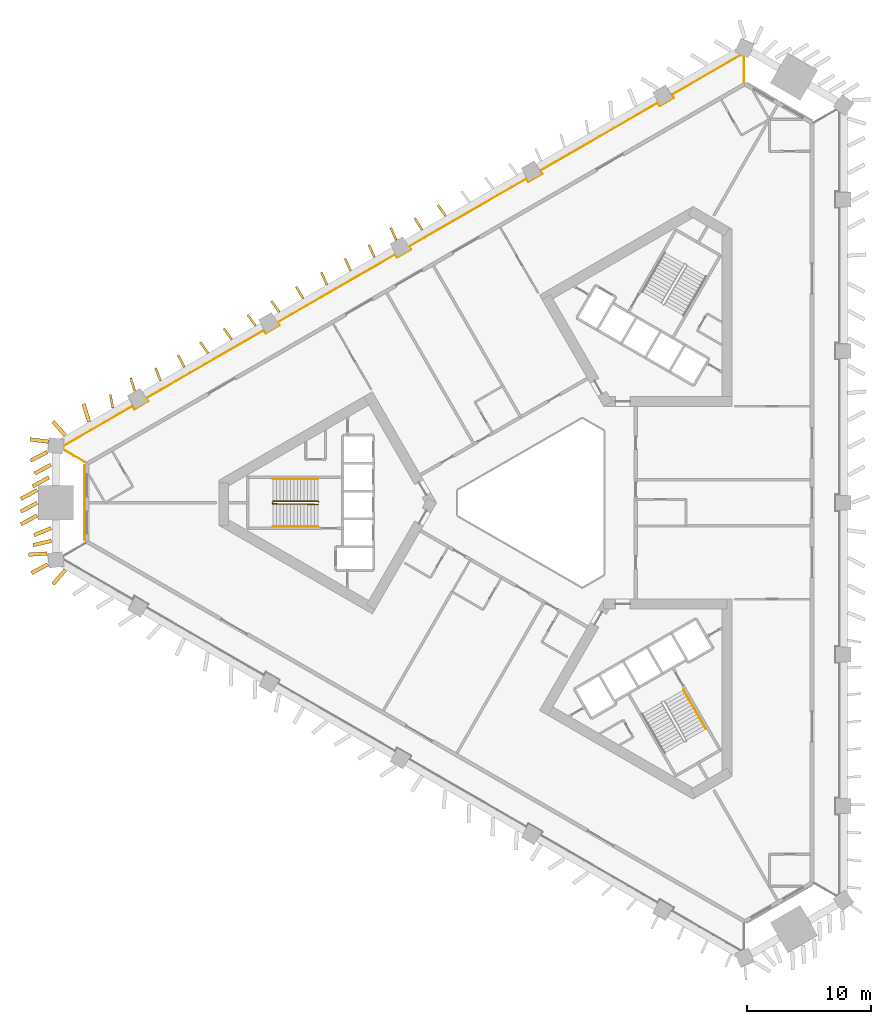
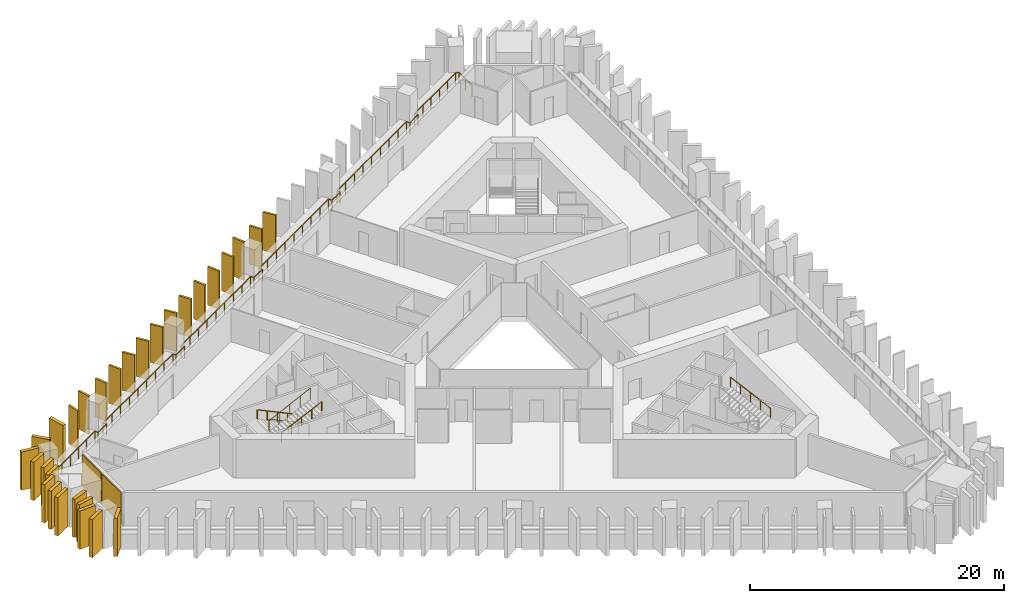
# One storey, part 8 of 10: 29 shading devices, 5 railings, 2 coverings.
"""IFC4 building model written with IfcOpenShell, lengths in metres."""

from ifc_helpers import new_model, si_unit, direction, frame, frame_2d, origin, origin_2d, place, context, subcontext, project, spatial, rectangle, circle, extrude, material, layer, layer_set, type_object, element, save


model = new_model("IFC4")

# Units and contexts
model_context = context("Model", 3, precision=1e-05, world=origin(), true_north=direction((0.0, 1.0)))
body_context = subcontext(model_context, "Body", "Model", "MODEL_VIEW")
ifc_project = project(units=[si_unit("LENGTHUNIT", "METRE"), si_unit("AREAUNIT", "SQUARE_METRE"), si_unit("VOLUMEUNIT", "CUBIC_METRE"), si_unit("PLANEANGLEUNIT", "RADIAN"), si_unit("MASSUNIT", "GRAM", prefix="KILO")], contexts=[model_context])

# Site, building, storey
site_placement = place(None, origin())
site = spatial("IfcSite", under=ifc_project, at=site_placement, CompositionType="ELEMENT")
building_placement = place(site_placement, origin())
building = spatial("IfcBuilding", under=site, at=building_placement, Name="Jabali Bay Hotel Tower and Convention Centre", CompositionType="ELEMENT")
storey_placement = place(building_placement, frame((0.0, 0.0, 37.39990234375)))
storey = spatial("IfcBuildingStorey", under=building, at=storey_placement, Name="L07", CompositionType="ELEMENT", Elevation=37.39990234375)

# Railing
ifc_material_1 = material(Name="Glass", Category="glass")
railing_type_1 = type_object("IfcRailingType", Name="Loggia glass guard 1100", PredefinedType="BALUSTRADE", material=ifc_material_1)
railing_1_placement = place(storey_placement, frame((37.58984375, 83.28564453125, 0.0)))
element("IfcRailing", 1, at=railing_1_placement, inside=storey, type_object=railing_type_1, Name="Loggia glass guard L07", PredefinedType="BALUSTRADE", context=body_context, shape_type="SweptSolid", body=[
    extrude(circle(Radius=0.02490234375, at=origin_2d()), frame((0.0, 0.0, 1.0751953125), z_axis=(-0.866005633567, 0.500034241458, 0.0), x_axis=(-0.495756379204, -0.858596835321, 0.13052619222)), (0.0, 0.0, 1.0), 2.055908203125),
    extrude(circle(Radius=0.02490234375, at=origin_2d()), frame((-1.780517578125, 1.028076171875, 1.0751953125), z_axis=(0.115132230487, 0.993350174663, 0.0), x_axis=(-0.984851926214, 0.114147258294, 0.13052619222)), (0.0, 0.0, 1.0), 0.2734375),
    extrude(circle(Radius=0.02490234375, at=origin_2d()), frame((-1.7490234375, 1.2998046875, 1.0751953125), z_axis=(0.866027950949, 0.499995588155, 0.0), x_axis=(-0.495718056586, 0.858618961775, 0.13052619222)), (0.0, 0.0, 1.0), 6.44775390625),
    extrude(circle(Radius=0.02490234375, at=origin_2d()), frame((3.8349609375, 4.523681640625, 1.0751953125), z_axis=(0.500426713919, -0.865778900179, 0.0), x_axis=(0.858372041669, 0.49614549401, 0.13052619222)), (0.0, 0.0, 1.0), 0.300048828125),
    extrude(circle(Radius=0.02490234375, at=origin_2d()), frame((3.985107421875, 4.263916015625, 1.0751953125), z_axis=(0.86603858612, 0.49997716683, 0.0), x_axis=(-0.495699792858, 0.85862950596, 0.13052619222)), (0.0, 0.0, 1.0), 1.2998046875),
    extrude(circle(Radius=0.02490234375, at=origin_2d()), frame((5.11083984375, 4.913818359375, 1.0751953125), z_axis=(-0.499816412211, 0.866131372301, 0.0), x_axis=(-0.858721498343, -0.495540413517, 0.13052619222)), (0.0, 0.0, 1.0), 0.2998046875),
    extrude(circle(Radius=0.02490234375, at=origin_2d()), frame((4.9609375, 5.173583984375, 1.0751953125), z_axis=(0.866015332769, 0.500017443104, 0.0), x_axis=(-0.495739724563, 0.858606451545, 0.13052619222)), (0.0, 0.0, 1.0), 10.9609375),
    extrude(circle(Radius=0.02490234375, at=origin_2d()), frame((14.453369140625, 10.654296875, 1.0751953125), z_axis=(0.500074377092, -0.865982457891, 0.0), x_axis=(0.858573857916, 0.495796171473, 0.13052619222)), (0.0, 0.0, 1.0), 0.30029296875),
    extrude(circle(Radius=0.02490234375, at=origin_2d()), frame((14.603515625, 10.394287109375, 1.0751953125), z_axis=(0.86595725628, 0.500118016368, 0.0), x_axis=(-0.495839437409, 0.858548871908, 0.13052619222)), (0.0, 0.0, 1.0), 1.300048828125),
    extrude(circle(Radius=0.02490234375, at=origin_2d()), frame((15.729248046875, 11.04443359375, 1.0751953125), z_axis=(-0.499816412211, 0.866131372301, 0.0), x_axis=(-0.858721498343, -0.495540413517, 0.13052619222)), (0.0, 0.0, 1.0), 0.2998046875),
    extrude(circle(Radius=0.02490234375, at=origin_2d()), frame((15.579345703125, 11.30419921875, 1.0751953125), z_axis=(0.86603054593, 0.499991093437, 0.0), x_axis=(-0.495713600321, 0.858621534555, 0.13052619222)), (0.0, 0.0, 1.0), 10.961181640625),
    extrude(circle(Radius=0.02490234375, at=origin_2d()), frame((25.072021484375, 16.78466796875, 1.0751953125), z_axis=(0.499816412211, -0.866131372301, 0.0), x_axis=(0.858721498343, 0.495540413517, 0.13052619222)), (0.0, 0.0, 1.0), 0.2998046875),
    extrude(circle(Radius=0.02490234375, at=origin_2d()), frame((25.221923828125, 16.52490234375, 1.0751953125), z_axis=(0.86595725628, 0.500118016368, 0.0), x_axis=(-0.495839437409, 0.858548871908, 0.13052619222)), (0.0, 0.0, 1.0), 1.300048828125),
    extrude(circle(Radius=0.02490234375, at=origin_2d()), frame((26.34765625, 17.175048828125, 1.0751953125), z_axis=(-0.499816412211, 0.866131372301, 0.0), x_axis=(-0.858721498343, -0.495540413517, 0.13052619222)), (0.0, 0.0, 1.0), 0.2998046875),
    extrude(circle(Radius=0.02490234375, at=origin_2d()), frame((26.19775390625, 17.434814453125, 1.0751953125), z_axis=(0.86603054593, 0.499991093437, 0.0), x_axis=(-0.495713600321, 0.858621534555, 0.13052619222)), (0.0, 0.0, 1.0), 10.961181640625),
    extrude(circle(Radius=0.02490234375, at=origin_2d()), frame((35.6904296875, 22.915283203125, 1.0751953125), z_axis=(0.499816412211, -0.866131372301, 0.0), x_axis=(0.858721498343, 0.495540413517, 0.13052619222)), (0.0, 0.0, 1.0), 0.2998046875),
    extrude(circle(Radius=0.02490234375, at=origin_2d()), frame((35.84033203125, 22.655517578125, 1.0751953125), z_axis=(0.866085525409, 0.49989585183, 0.0), x_axis=(-0.495619173519, 0.858676043677, 0.13052619222)), (0.0, 0.0, 1.0), 1.300048828125),
    extrude(circle(Radius=0.02490234375, at=origin_2d()), frame((36.96630859375, 23.305419921875, 1.0751953125), z_axis=(-0.500074377092, 0.865982457891, 0.0), x_axis=(-0.858573857916, -0.495796171473, 0.13052619222)), (0.0, 0.0, 1.0), 0.30029296875),
    extrude(circle(Radius=0.02490234375, at=origin_2d()), frame((36.816162109375, 23.5654296875, 1.0751953125), z_axis=(0.86603054593, 0.499991093437, 0.0), x_axis=(-0.495713600321, 0.858621534555, 0.13052619222)), (0.0, 0.0, 1.0), 10.961181640625),
    extrude(circle(Radius=0.02490234375, at=origin_2d()), frame((46.308837890625, 29.0458984375, 1.0751953125), z_axis=(0.499816412211, -0.866131372301, 0.0), x_axis=(0.858721498343, 0.495540413517, 0.13052619222)), (0.0, 0.0, 1.0), 0.2998046875),
    extrude(circle(Radius=0.02490234375, at=origin_2d()), frame((46.458740234375, 28.7861328125, 1.0751953125), z_axis=(0.866085525409, 0.49989585183, 0.0), x_axis=(-0.495619173519, 0.858676043677, 0.13052619222)), (0.0, 0.0, 1.0), 1.300048828125),
    extrude(circle(Radius=0.02490234375, at=origin_2d()), frame((47.584716796875, 29.43603515625, 1.0751953125), z_axis=(-0.500426713919, 0.865778900179, 0.0), x_axis=(-0.858372041669, -0.49614549401, 0.13052619222)), (0.0, 0.0, 1.0), 0.300048828125),
    extrude(circle(Radius=0.02490234375, at=origin_2d()), frame((47.4345703125, 29.69580078125, 1.0751953125), z_axis=(0.866011555249, 0.500023985599, 0.0), x_axis=(-0.495746211086, 0.858602706342, 0.13052619222)), (0.0, 0.0, 1.0), 6.447998046875),
    extrude(circle(Radius=0.02490234375, at=origin_2d()), frame((53.0185546875, 32.919921875, 1.0751953125), z_axis=(0.917848253155, -0.396931460305, 0.0), x_axis=(0.393535656637, 0.909995934112, 0.13052619222)), (0.0, 0.0, 1.0), 0.273681640625),
    extrude(circle(Radius=0.02490234375, at=origin_2d()), frame((53.269775390625, 32.811279296875, 1.0751953125), z_axis=(0.0, -1.0, 0.0), x_axis=(0.991444861374, 0.0, 0.13052619222)), (0.0, 0.0, 1.0), 2.055908203125),
    extrude(circle(Radius=0.02001953125, at=origin_2d()), origin(), (0.0, 0.0, 1.0), 1.050048828125),
    extrude(circle(Radius=0.02001953125, at=origin_2d()), frame((-0.89013671875, 0.51416015625, 0.0)), (0.0, 0.0, 1.0), 1.050048828125),
    extrude(circle(Radius=0.02001953125, at=origin_2d()), frame((-1.780517578125, 1.028076171875, 0.0)), (0.0, 0.0, 1.0), 1.050048828125),
    extrude(circle(Radius=0.02001953125, at=origin_2d()), frame((-1.7490234375, 1.2998046875, 0.0)), (0.0, 0.0, 1.0), 1.050048828125),
    extrude(circle(Radius=0.02001953125, at=origin_2d()), frame((-0.63232421875, 1.944580078125, 0.0)), (0.0, 0.0, 1.0), 1.050048828125),
    extrude(circle(Radius=0.02001953125, at=origin_2d()), frame((0.484619140625, 2.58935546875, 0.0)), (0.0, 0.0, 1.0), 1.050048828125),
    extrude(circle(Radius=0.02001953125, at=origin_2d()), frame((1.601318359375, 3.234130859375, 0.0)), (0.0, 0.0, 1.0), 1.050048828125),
    extrude(circle(Radius=0.02001953125, at=origin_2d()), frame((2.71826171875, 3.87890625, 0.0)), (0.0, 0.0, 1.0), 1.050048828125),
    extrude(circle(Radius=0.02001953125, at=origin_2d()), frame((3.8349609375, 4.523681640625, 0.0)), (0.0, 0.0, 1.0), 1.050048828125),
    extrude(circle(Radius=0.02001953125, at=origin_2d()), frame((3.985107421875, 4.263916015625, 0.0)), (0.0, 0.0, 1.0), 1.050048828125),
    extrude(circle(Radius=0.02001953125, at=origin_2d()), frame((5.11083984375, 4.913818359375, 0.0)), (0.0, 0.0, 1.0), 1.050048828125),
    extrude(circle(Radius=0.02001953125, at=origin_2d()), frame((4.9609375, 5.173583984375, 0.0)), (0.0, 0.0, 1.0), 1.050048828125),
    extrude(circle(Radius=0.02001953125, at=origin_2d()), frame((6.1474609375, 5.858642578125, 0.0)), (0.0, 0.0, 1.0), 1.050048828125),
    extrude(circle(Radius=0.02001953125, at=origin_2d()), frame((7.333984375, 6.543701171875, 0.0)), (0.0, 0.0, 1.0), 1.050048828125),
    extrude(circle(Radius=0.02001953125, at=origin_2d()), frame((8.5205078125, 7.228759765625, 0.0)), (0.0, 0.0, 1.0), 1.050048828125),
    extrude(circle(Radius=0.02001953125, at=origin_2d()), frame((9.70703125, 7.9140625, 0.0)), (0.0, 0.0, 1.0), 1.050048828125),
    extrude(circle(Radius=0.02001953125, at=origin_2d()), frame((10.893798828125, 8.59912109375, 0.0)), (0.0, 0.0, 1.0), 1.050048828125),
    extrude(circle(Radius=0.02001953125, at=origin_2d()), frame((12.080322265625, 9.2841796875, 0.0)), (0.0, 0.0, 1.0), 1.050048828125),
    extrude(circle(Radius=0.02001953125, at=origin_2d()), frame((13.266845703125, 9.96923828125, 0.0)), (0.0, 0.0, 1.0), 1.050048828125),
    extrude(circle(Radius=0.02001953125, at=origin_2d()), frame((14.453369140625, 10.654296875, 0.0)), (0.0, 0.0, 1.0), 1.050048828125),
    extrude(circle(Radius=0.02001953125, at=origin_2d()), frame((14.603515625, 10.394287109375, 0.0)), (0.0, 0.0, 1.0), 1.050048828125),
    extrude(circle(Radius=0.02001953125, at=origin_2d()), frame((15.729248046875, 11.04443359375, 0.0)), (0.0, 0.0, 1.0), 1.050048828125),
    extrude(circle(Radius=0.02001953125, at=origin_2d()), frame((15.579345703125, 11.30419921875, 0.0)), (0.0, 0.0, 1.0), 1.050048828125),
    extrude(circle(Radius=0.02001953125, at=origin_2d()), frame((16.765869140625, 11.9892578125, 0.0)), (0.0, 0.0, 1.0), 1.050048828125),
    extrude(circle(Radius=0.02001953125, at=origin_2d()), frame((17.95263671875, 12.67431640625, 0.0)), (0.0, 0.0, 1.0), 1.050048828125),
    extrude(circle(Radius=0.02001953125, at=origin_2d()), frame((19.13916015625, 13.359375, 0.0)), (0.0, 0.0, 1.0), 1.050048828125),
    extrude(circle(Radius=0.02001953125, at=origin_2d()), frame((20.32568359375, 14.04443359375, 0.0)), (0.0, 0.0, 1.0), 1.050048828125),
    extrude(circle(Radius=0.02001953125, at=origin_2d()), frame((21.51220703125, 14.7294921875, 0.0)), (0.0, 0.0, 1.0), 1.050048828125),
    extrude(circle(Radius=0.02001953125, at=origin_2d()), frame((22.69873046875, 15.41455078125, 0.0)), (0.0, 0.0, 1.0), 1.050048828125),
    extrude(circle(Radius=0.02001953125, at=origin_2d()), frame((23.885498046875, 16.099609375, 0.0)), (0.0, 0.0, 1.0), 1.050048828125),
    extrude(circle(Radius=0.02001953125, at=origin_2d()), frame((25.072021484375, 16.78466796875, 0.0)), (0.0, 0.0, 1.0), 1.050048828125),
    extrude(circle(Radius=0.02001953125, at=origin_2d()), frame((25.221923828125, 16.52490234375, 0.0)), (0.0, 0.0, 1.0), 1.050048828125),
    extrude(circle(Radius=0.02001953125, at=origin_2d()), frame((26.34765625, 17.175048828125, 0.0)), (0.0, 0.0, 1.0), 1.050048828125),
    extrude(circle(Radius=0.02001953125, at=origin_2d()), frame((26.19775390625, 17.434814453125, 0.0)), (0.0, 0.0, 1.0), 1.050048828125),
    extrude(circle(Radius=0.02001953125, at=origin_2d()), frame((27.38427734375, 18.119873046875, 0.0)), (0.0, 0.0, 1.0), 1.050048828125),
    extrude(circle(Radius=0.02001953125, at=origin_2d()), frame((28.57080078125, 18.804931640625, 0.0)), (0.0, 0.0, 1.0), 1.050048828125),
    extrude(circle(Radius=0.02001953125, at=origin_2d()), frame((29.757568359375, 19.489990234375, 0.0)), (0.0, 0.0, 1.0), 1.050048828125),
    extrude(circle(Radius=0.02001953125, at=origin_2d()), frame((30.944091796875, 20.175048828125, 0.0)), (0.0, 0.0, 1.0), 1.050048828125),
    extrude(circle(Radius=0.02001953125, at=origin_2d()), frame((32.130615234375, 20.860107421875, 0.0)), (0.0, 0.0, 1.0), 1.050048828125),
    extrude(circle(Radius=0.02001953125, at=origin_2d()), frame((33.3173828125, 21.545166015625, 0.0)), (0.0, 0.0, 1.0), 1.050048828125),
    extrude(circle(Radius=0.02001953125, at=origin_2d()), frame((34.50390625, 22.230224609375, 0.0)), (0.0, 0.0, 1.0), 1.050048828125),
    extrude(circle(Radius=0.02001953125, at=origin_2d()), frame((35.6904296875, 22.915283203125, 0.0)), (0.0, 0.0, 1.0), 1.050048828125),
    extrude(circle(Radius=0.02001953125, at=origin_2d()), frame((35.84033203125, 22.655517578125, 0.0)), (0.0, 0.0, 1.0), 1.050048828125),
    extrude(circle(Radius=0.02001953125, at=origin_2d()), frame((36.96630859375, 23.305419921875, 0.0)), (0.0, 0.0, 1.0), 1.050048828125),
    extrude(circle(Radius=0.02001953125, at=origin_2d()), frame((36.816162109375, 23.5654296875, 0.0)), (0.0, 0.0, 1.0), 1.050048828125),
    extrude(circle(Radius=0.02001953125, at=origin_2d()), frame((38.002685546875, 24.25048828125, 0.0)), (0.0, 0.0, 1.0), 1.050048828125),
    extrude(circle(Radius=0.02001953125, at=origin_2d()), frame((39.189453125, 24.935546875, 0.0)), (0.0, 0.0, 1.0), 1.050048828125),
    extrude(circle(Radius=0.02001953125, at=origin_2d()), frame((40.3759765625, 25.62060546875, 0.0)), (0.0, 0.0, 1.0), 1.050048828125),
    extrude(circle(Radius=0.02001953125, at=origin_2d()), frame((41.5625, 26.3056640625, 0.0)), (0.0, 0.0, 1.0), 1.050048828125),
    extrude(circle(Radius=0.02001953125, at=origin_2d()), frame((42.7490234375, 26.99072265625, 0.0)), (0.0, 0.0, 1.0), 1.050048828125),
    extrude(circle(Radius=0.02001953125, at=origin_2d()), frame((43.935546875, 27.67578125, 0.0)), (0.0, 0.0, 1.0), 1.050048828125),
    extrude(circle(Radius=0.02001953125, at=origin_2d()), frame((45.122314453125, 28.36083984375, 0.0)), (0.0, 0.0, 1.0), 1.050048828125),
    extrude(circle(Radius=0.02001953125, at=origin_2d()), frame((46.308837890625, 29.0458984375, 0.0)), (0.0, 0.0, 1.0), 1.050048828125),
    extrude(circle(Radius=0.02001953125, at=origin_2d()), frame((46.458740234375, 28.7861328125, 0.0)), (0.0, 0.0, 1.0), 1.050048828125),
    extrude(circle(Radius=0.02001953125, at=origin_2d()), frame((47.584716796875, 29.43603515625, 0.0)), (0.0, 0.0, 1.0), 1.050048828125),
    extrude(circle(Radius=0.02001953125, at=origin_2d()), frame((47.4345703125, 29.69580078125, 0.0)), (0.0, 0.0, 1.0), 1.050048828125),
    extrude(circle(Radius=0.02001953125, at=origin_2d()), frame((48.55126953125, 30.340576171875, 0.0)), (0.0, 0.0, 1.0), 1.050048828125),
    extrude(circle(Radius=0.02001953125, at=origin_2d()), frame((49.668212890625, 30.9853515625, 0.0)), (0.0, 0.0, 1.0), 1.050048828125),
    extrude(circle(Radius=0.02001953125, at=origin_2d()), frame((50.784912109375, 31.63037109375, 0.0)), (0.0, 0.0, 1.0), 1.050048828125),
    extrude(circle(Radius=0.02001953125, at=origin_2d()), frame((51.90185546875, 32.275146484375, 0.0)), (0.0, 0.0, 1.0), 1.050048828125),
    extrude(circle(Radius=0.02001953125, at=origin_2d()), frame((53.0185546875, 32.919921875, 0.0)), (0.0, 0.0, 1.0), 1.050048828125),
    extrude(circle(Radius=0.02001953125, at=origin_2d()), frame((53.269775390625, 32.811279296875, 0.0)), (0.0, 0.0, 1.0), 1.050048828125),
    extrude(circle(Radius=0.02001953125, at=origin_2d()), frame((53.269775390625, 31.783203125, 0.0)), (0.0, 0.0, 1.0), 1.050048828125),
    extrude(circle(Radius=0.02001953125, at=origin_2d()), frame((53.269775390625, 30.75537109375, 0.0)), (0.0, 0.0, 1.0), 1.050048828125),
])

# Shading devices
ifc_material_2 = material(Name="Precast concrete C60", Category="concrete")
ifc_layer_1 = layer(ifc_material_2, 0.179931640625)
ifc_layer_set_1 = layer_set([ifc_layer_1], Name="Precast concrete C60")
shading_device_type_1 = type_object("IfcShadingDeviceType", Name="Precast fin 3680 x 1100", PredefinedType="USERDEFINED", material=ifc_layer_set_1)
for number, where, z_axis, x_axis, name in (
    (2, (66.74169921875, 103.17822265625, 0.010009765625), (0.0, 0.0, 1.0), (-0.585198826037, 0.810889840857, 0.0), "Fin L07 050"),
    (3, (64.823486328125, 102.0634765625, 0.010009765625), (0.0, 0.0, 1.0), (-0.526003100466, 0.850482650205, 0.0), "Fin L07 051"),
    (4, (62.745361328125, 101.225830078125, 0.010009765625), (0.0, 0.0, 1.0), (-0.41080758247, 0.911722068497, 0.0), "Fin L07 052"),
):
    element("IfcShadingDevice", number, at=place(storey_placement, frame(where, z_axis=z_axis, x_axis=x_axis)), inside=storey, type_object=shading_device_type_1, Name=name, ObjectType="FIN", PredefinedType="USERDEFINED", context=body_context, shape_type="SweptSolid", body=[
        extrude(rectangle(XDim=1.10009765625, YDim=0.179931640625, at=frame_2d((0.550048828125, 0.0))), origin(), (0.0, 0.0, 1.0), 3.68017578125),
    ])
for number, where, z_axis, x_axis, name in (
    (5, (60.9775390625, 99.850341796875, 0.010009765625), (0.0, 0.0, 1.0), (-0.410890722833, 0.911684602201, 0.0), "Fin L07 053"),
    (6, (59.05615234375, 98.740966796875, 0.010009765625), (0.0, 0.0, 1.0), (-0.411075203021, 0.91160143564, 0.0), "Fin L07 054"),
):
    element("IfcShadingDevice", number, at=place(storey_placement, frame(where, z_axis=z_axis, x_axis=x_axis)), inside=storey, type_object=shading_device_type_1, Name=name, ObjectType="FIN", PredefinedType="USERDEFINED", context=body_context, shape_type="SweptSolid", body=[
        extrude(rectangle(XDim=1.099853515625, YDim=0.179931640625, at=frame_2d((0.5498046875, 0.0))), origin(), (0.0, 0.0, 1.0), 3.68017578125),
    ])
for number, where, z_axis, x_axis, name in (
    (7, (57.135009765625, 97.631591796875, 0.010009765625), (0.0, 0.0, 1.0), (-0.4109920405, 0.911638932168, 0.0), "Fin L07 055"),
    (8, (55.217529296875, 96.515625, 0.010009765625), (0.0, 0.0, 1.0), (-0.511097549463, 0.859522713448, 0.0), "Fin L07 056"),
    (9, (53.292236328125, 95.4130859375, 0.010009765625), (0.0, 0.0, 1.0), (-0.584550243006, 0.811357512692, 0.0), "Fin L07 057"),
):
    element("IfcShadingDevice", number, at=place(storey_placement, frame(where, z_axis=z_axis, x_axis=x_axis)), inside=storey, type_object=shading_device_type_1, Name=name, ObjectType="FIN", PredefinedType="USERDEFINED", context=body_context, shape_type="SweptSolid", body=[
        extrude(rectangle(XDim=1.10009765625, YDim=0.179931640625, at=frame_2d((0.550048828125, 0.0))), origin(), (0.0, 0.0, 1.0), 3.68017578125),
    ])
shading_device_1_placement = place(storey_placement, frame((51.37060546875, 94.303955078125, 0.010009765625), z_axis=(0.0, 0.0, 1.0), x_axis=(-0.585158199307, 0.8109191586, 0.0)))
element("IfcShadingDevice", 10, at=shading_device_1_placement, inside=storey, type_object=shading_device_type_1, Name="Fin L07 058", ObjectType="FIN", PredefinedType="USERDEFINED", context=body_context, shape_type="SweptSolid", body=[
    extrude(rectangle(XDim=1.099853515625, YDim=0.179931640625, at=frame_2d((0.5498046875, 0.0))), origin(), (0.0, 0.0, 1.0), 3.68017578125),
])
for number, where, z_axis, x_axis, name in (
    (11, (49.44921875, 93.194580078125, 0.010009765625), (0.0, 0.0, 1.0), (-0.586600179172, 0.809876675671, 0.0), "Fin L07 059"),
    (12, (47.528564453125, 92.083984375, 0.010009765625), (0.0, 0.0, 1.0), (-0.572598108682, 0.819836206772, 0.0), "Fin L07 060"),
    (13, (45.609130859375, 90.9716796875, 0.010009765625), (0.0, 0.0, 1.0), (-0.46030420789, 0.887761249548, 0.0), "Fin L07 061"),
    (14, (43.68310546875, 89.870361328125, 0.010009765625), (0.0, 0.0, 1.0), (-0.363955822505, 0.931416211618, 0.0), "Fin L07 062"),
    (15, (41.604736328125, 89.032958984375, 0.010009765625), (0.0, 0.0, 1.0), (-0.296050178083, 0.955172388659, 0.0), "Fin L07 063"),
    (16, (39.832275390625, 87.665771484375, 0.010009765625), (0.0, 0.0, 1.0), (-0.187316073572, 0.982299693872, 0.0), "Fin L07 064"),
):
    element("IfcShadingDevice", number, at=place(storey_placement, frame(where, z_axis=z_axis, x_axis=x_axis)), inside=storey, type_object=shading_device_type_1, Name=name, ObjectType="FIN", PredefinedType="USERDEFINED", context=body_context, shape_type="SweptSolid", body=[
        extrude(rectangle(XDim=1.10009765625, YDim=0.179931640625, at=frame_2d((0.550048828125, 0.0))), origin(), (0.0, 0.0, 1.0), 3.68017578125),
    ])
ifc_layer_2 = layer(ifc_material_2, 0.300048828125)
ifc_layer_set_2 = layer_set([ifc_layer_2], Name="Precast concrete C60")
shading_device_type_2 = type_object("IfcShadingDeviceType", Name="Precast fin 3680 x 1500", PredefinedType="USERDEFINED", material=ifc_layer_set_2)
for number, where, z_axis, x_axis, name in (
    (17, (37.908935546875, 86.5595703125, 0.010009765625), (0.0, 0.0, 1.0), (-0.295252245211, 0.955419338143, 0.0), "Fin L07 065"),
    (18, (35.9892578125, 85.447509765625, 0.010009765625), (0.0, 0.0, 1.0), (-0.66291797017, 0.748692036038, 0.0), "Fin L07 066"),
):
    element("IfcShadingDevice", number, at=place(storey_placement, frame(where, z_axis=z_axis, x_axis=x_axis)), inside=storey, type_object=shading_device_type_2, Name=name, ObjectType="FIN", PredefinedType="USERDEFINED", context=body_context, shape_type="SweptSolid", body=[
        extrude(rectangle(XDim=1.5, YDim=0.300048828125, at=frame_2d((0.75, 0.0))), origin(), (0.0, 0.0, 1.0), 3.68017578125),
    ])
shading_device_2_placement = place(storey_placement, frame((34.517578125, 84.10107421875, 0.010009765625), z_axis=(0.0, 0.0, 1.0), x_axis=(-0.884515369846, -0.466511050787, 0.0)))
element("IfcShadingDevice", 19, at=shading_device_2_placement, inside=storey, type_object=shading_device_type_2, Name="Fin L07 067", ObjectType="FIN", PredefinedType="USERDEFINED", context=body_context, shape_type="SweptSolid", body=[
    extrude(rectangle(XDim=1.499755859375, YDim=0.300048828125, at=frame_2d((0.75, 0.0))), origin(), (0.0, 0.0, 1.0), 3.68017578125),
])
shading_device_3_placement = place(storey_placement, frame((34.83154296875, 83.07568359375, 0.010009765625), z_axis=(0.0, 0.0, 1.0), x_axis=(-0.879056132781, -0.476718276785, 0.0)))
element("IfcShadingDevice", 20, at=shading_device_3_placement, inside=storey, type_object=shading_device_type_2, Name="Fin L07 068", ObjectType="FIN", PredefinedType="USERDEFINED", context=body_context, shape_type="SweptSolid", body=[
    extrude(rectangle(XDim=1.5, YDim=0.300048828125, at=frame_2d((0.75, 0.0))), origin(), (0.0, 0.0, 1.0), 3.68017578125),
])
shading_device_4_placement = place(storey_placement, frame((34.675537109375, 82.050537109375, 0.010009765625), z_axis=(0.0, 0.0, 1.0), x_axis=(-0.87898792335, -0.476844031738, 0.0)))
element("IfcShadingDevice", 21, at=shading_device_4_placement, inside=storey, type_object=shading_device_type_2, Name="Fin L07 069", ObjectType="FIN", PredefinedType="USERDEFINED", context=body_context, shape_type="SweptSolid", body=[
    extrude(rectangle(XDim=1.500244140625, YDim=0.300048828125, at=frame_2d((0.75, 0.0))), origin(), (0.0, 0.0, 1.0), 3.68017578125),
])
for number, where, z_axis, x_axis, name in (
    (22, (33.71923828125, 81.025146484375, 0.010009765625), (0.0, 0.0, 1.0), (-0.879056132781, -0.476718276785, 0.0), "Fin L07 070"),
    (23, (33.71923828125, 80.0, 0.010009765625), (0.0, 0.0, 1.0), (-0.879056132781, -0.476718276785, 0.0), "Fin L07 071"),
):
    element("IfcShadingDevice", number, at=place(storey_placement, frame(where, z_axis=z_axis, x_axis=x_axis)), inside=storey, type_object=shading_device_type_2, Name=name, ObjectType="FIN", PredefinedType="USERDEFINED", context=body_context, shape_type="SweptSolid", body=[
        extrude(rectangle(XDim=1.5, YDim=0.300048828125, at=frame_2d((0.75, 0.0))), origin(), (0.0, 0.0, 1.0), 3.68017578125),
    ])
for number, where, z_axis, x_axis, name in (
    (24, (33.71923828125, 78.974853515625, 0.010009765625), (0.0, 0.0, 1.0), (-0.87898792335, -0.476844031738, 0.0), "Fin L07 072"),
    (25, (34.846435546875, 77.949462890625, 0.010009765625), (0.0, 0.0, 1.0), (-0.925655794225, -0.37836668804, 0.0), "Fin L07 073"),
):
    element("IfcShadingDevice", number, at=place(storey_placement, frame(where, z_axis=z_axis, x_axis=x_axis)), inside=storey, type_object=shading_device_type_2, Name=name, ObjectType="FIN", PredefinedType="USERDEFINED", context=body_context, shape_type="SweptSolid", body=[
        extrude(rectangle(XDim=1.500244140625, YDim=0.300048828125, at=frame_2d((0.75, 0.0))), origin(), (0.0, 0.0, 1.0), 3.68017578125),
    ])
for number, where, z_axis, x_axis, name in (
    (26, (34.868896484375, 76.92431640625, 0.010009765625), (0.0, 0.0, 1.0), (-0.973653588993, -0.228032209659, 0.0), "Fin L07 074"),
    (27, (34.526123046875, 75.89892578125, 0.010009765625), (0.0, 0.0, 1.0), (-0.998155668559, -0.060706353232, 0.0), "Fin L07 075"),
    (28, (35.989501953125, 74.552978515625, 0.010009765625), (0.0, 0.0, 1.0), (-0.660495794959, -0.750829744244, 0.0), "Fin L07 076"),
    (29, (34.622802734375, 84.94091796875, 0.010009765625), (0.0, 0.0, 1.0), (-0.992280380342, 0.124014703923, 0.0), "Fin L07 117"),
    (30, (34.571044921875, 75.029052734375, 0.010009765625), (0.0, 0.0, 1.0), (-0.877733805227, -0.479148585683, 0.0), "Fin L07 118"),
):
    element("IfcShadingDevice", number, at=place(storey_placement, frame(where, z_axis=z_axis, x_axis=x_axis)), inside=storey, type_object=shading_device_type_2, Name=name, ObjectType="FIN", PredefinedType="USERDEFINED", context=body_context, shape_type="SweptSolid", body=[
        extrude(rectangle(XDim=1.5, YDim=0.300048828125, at=frame_2d((0.75, 0.0))), origin(), (0.0, 0.0, 1.0), 3.68017578125),
    ])

# Coverings
ifc_material_3 = material(Name="Precast concrete C40/50", Category="concrete")
ifc_layer_3 = layer(ifc_material_3, 0.080078125)
ifc_layer_set_3 = layer_set([ifc_layer_3], Name="Precast concrete C40/50")
covering_type = type_object("IfcCoveringType", Name="Relief panel 3000 x 3000", PredefinedType="CLADDING", material=ifc_layer_set_3)
for number, where, z_axis, x_axis, name in (
    (31, (37.5498046875, 78.452880859375, 0.10009765625), (0.0, 0.0, 1.0), (0.0, 1.0, 0.0), "Relief panel L07"),
    (32, (37.5498046875, 81.547119140625, 0.10009765625), (0.0, 0.0, 1.0), (0.0, 1.0, 0.0), "Relief panel L07"),
):
    element("IfcCovering", number, at=place(storey_placement, frame(where, z_axis=z_axis, x_axis=x_axis)), inside=storey, type_object=covering_type, Name=name, PredefinedType="CLADDING", context=body_context, shape_type="SweptSolid", body=[
        extrude(rectangle(XDim=3.0, YDim=0.080078125, at=origin_2d()), origin(), (0.0, 0.0, 1.0), 3.0),
    ])

# Railings
ifc_material_4 = material(Name="Steel Q355B", Category="steel")
railing_type_2 = type_object("IfcRailingType", Name="Stair guard 1100", PredefinedType="GUARDRAIL", material=ifc_material_4)
railing_2_placement = place(storey_placement, frame((56.469970703125, 80.074951171875, 0.0)))
element("IfcRailing", 33, at=railing_2_placement, inside=storey, type_object=railing_type_2, Name="L07 ST1 stair guard 1", PredefinedType="GUARDRAIL", context=body_context, shape_type="SweptSolid", body=[
    extrude(circle(Radius=0.02392578125, at=origin_2d()), frame((0.0, 0.0, 1.076171875), z_axis=(-0.333514590198, 0.333514590198, 0.881780038474), x_axis=(-0.707106781187, -0.707106781187, 0.0)), (0.0, 0.0, 1.0), 0.150146484375),
    extrude(circle(Radius=0.02392578125, at=origin_2d()), frame((-0.050048828125, 0.050048828125, 1.20849609375), z_axis=(-0.904350763662, 0.0, 0.426789990819), x_axis=(0.0, -1.0, 0.0)), (0.0, 0.0, 1.0), 4.02490234375),
    extrude(circle(Radius=0.02392578125, at=origin_2d()), frame((-3.68994140625, 0.050048828125, 2.92626953125), z_axis=(-0.242814311512, -0.970072785993, 0.0), x_axis=(0.970072785993, -0.242814311512, 0.0)), (0.0, 0.0, 1.0), 0.2060546875),
    extrude(circle(Radius=0.02392578125, at=origin_2d()), frame((-3.739990234375, -0.14990234375, 2.92626953125), z_axis=(0.893864111827, -0.012124000458, 0.448174026692), x_axis=(0.013562335953, 0.999908027292, 0.0)), (0.0, 0.0, 1.0), 4.128173828125),
    extrude(circle(Radius=0.02099609375, at=origin_2d()), origin(), (0.0, 0.0, 1.0), 1.052001953125),
    extrude(circle(Radius=0.02099609375, at=origin_2d()), frame((-0.050048828125, 0.050048828125, 0.13232421875)), (0.0, 0.0, 1.0), 1.052001953125),
    extrude(circle(Radius=0.02099609375, at=origin_2d()), frame((-0.9599609375, 0.050048828125, 0.561767578125)), (0.0, 0.0, 1.0), 1.052001953125),
    extrude(circle(Radius=0.02099609375, at=origin_2d()), frame((-1.8701171875, 0.050048828125, 0.9912109375)), (0.0, 0.0, 1.0), 1.052001953125),
    extrude(circle(Radius=0.02099609375, at=origin_2d()), frame((-2.780029296875, 0.050048828125, 1.420654296875)), (0.0, 0.0, 1.0), 1.052001953125),
    extrude(circle(Radius=0.02099609375, at=origin_2d()), frame((-3.68994140625, 0.050048828125, 1.85009765625)), (0.0, 0.0, 1.0), 1.052001953125),
    extrude(circle(Radius=0.02099609375, at=origin_2d()), frame((-3.739990234375, -0.14990234375, 1.85009765625)), (0.0, 0.0, 1.0), 1.052001953125),
    extrude(circle(Radius=0.02099609375, at=origin_2d()), frame((-2.8173828125, -0.162353515625, 2.3125)), (0.0, 0.0, 1.0), 1.052001953125),
    extrude(circle(Radius=0.02099609375, at=origin_2d()), frame((-1.89501953125, -0.1748046875, 2.775146484375)), (0.0, 0.0, 1.0), 1.052001953125),
    extrude(circle(Radius=0.02099609375, at=origin_2d()), frame((-0.97265625, -0.1875, 3.23779296875)), (0.0, 0.0, 1.0), 1.052001953125),
    extrude(circle(Radius=0.02099609375, at=origin_2d()), frame((-0.050048828125, -0.199951171875, 3.7001953125)), (0.0, 0.0, 1.0), 1.052001953125),
])
railing_type_3 = type_object("IfcRailingType", Name="Stair handrail 900", PredefinedType="HANDRAIL", material=ifc_material_4)
railing_3_placement = place(storey_placement, frame((56.419921875, 81.925048828125, 0.13232421875)))
element("IfcRailing", 34, at=railing_3_placement, inside=storey, type_object=railing_type_3, Name="L07 ST1 stair handrail 1", PredefinedType="HANDRAIL", context=body_context, shape_type="SweptSolid", body=[
    extrude(circle(Radius=0.02392578125, at=origin_2d()), frame((0.0, 0.0, 0.8759765625), z_axis=(-0.904350763662, 0.0, 0.426789990819), x_axis=(0.0, -1.0, 0.0)), (0.0, 0.0, 1.0), 4.02490234375),
    extrude(circle(Radius=0.02099609375, at=origin_2d()), origin(), (0.0, 0.0, 1.0), 0.851806640625),
    extrude(circle(Radius=0.02099609375, at=origin_2d()), frame((-0.909912109375, 0.0, 0.429443359375)), (0.0, 0.0, 1.0), 0.851806640625),
    extrude(circle(Radius=0.02099609375, at=origin_2d()), frame((-1.81982421875, 0.0, 0.85888671875)), (0.0, 0.0, 1.0), 0.851806640625),
    extrude(circle(Radius=0.02099609375, at=origin_2d()), frame((-2.72998046875, 0.0, 1.288330078125)), (0.0, 0.0, 1.0), 0.851806640625),
    extrude(circle(Radius=0.02099609375, at=origin_2d()), frame((-3.639892578125, 0.0, 1.7177734375)), (0.0, 0.0, 1.0), 0.851806640625),
])
railing_4_placement = place(storey_placement, frame((52.780029296875, 78.074951171875, 1.982177734375)))
element("IfcRailing", 35, at=railing_4_placement, inside=storey, type_object=railing_type_3, Name="L07 ST1 stair handrail 2", PredefinedType="HANDRAIL", context=body_context, shape_type="SweptSolid", body=[
    extrude(circle(Radius=0.02392578125, at=origin_2d()), frame((0.0, 0.0, 0.8759765625), z_axis=(0.904327350853, 0.0, 0.426839598092), x_axis=(0.0, 1.0, 0.0)), (0.0, 0.0, 1.0), 4.02490234375),
    extrude(circle(Radius=0.02099609375, at=origin_2d()), origin(), (0.0, 0.0, 1.0), 0.851806640625),
    extrude(circle(Radius=0.02099609375, at=origin_2d()), frame((0.909912109375, 0.0, 0.429443359375)), (0.0, 0.0, 1.0), 0.851806640625),
    extrude(circle(Radius=0.02099609375, at=origin_2d()), frame((1.81982421875, 0.0, 0.85888671875)), (0.0, 0.0, 1.0), 0.851806640625),
    extrude(circle(Radius=0.02099609375, at=origin_2d()), frame((2.72998046875, 0.0, 1.28857421875)), (0.0, 0.0, 1.0), 0.851806640625),
    extrude(circle(Radius=0.02099609375, at=origin_2d()), frame((3.639892578125, 0.0, 1.718017578125)), (0.0, 0.0, 1.0), 0.851806640625),
])
railing_5_placement = place(storey_placement, frame((87.777099609375, 61.719482421875, 1.982177734375)))
element("IfcRailing", 36, at=railing_5_placement, inside=storey, type_object=railing_type_3, Name="L07 ST3 stair handrail 2", PredefinedType="HANDRAIL", context=body_context, shape_type="SweptSolid", body=[
    extrude(circle(Radius=0.02392578125, at=origin_2d()), frame((0.0, 0.0, 0.8759765625), z_axis=(-0.45217862506, 0.783169739339, 0.426825081763), x_axis=(-0.866018046521, -0.500012742938, 0.0)), (0.0, 0.0, 1.0), 4.025146484375),
    extrude(circle(Radius=0.02099609375, at=origin_2d()), origin(), (0.0, 0.0, 1.0), 0.851806640625),
    extrude(circle(Radius=0.02099609375, at=origin_2d()), frame((-0.455078125, 0.7880859375, 0.429443359375)), (0.0, 0.0, 1.0), 0.851806640625),
    extrude(circle(Radius=0.02099609375, at=origin_2d()), frame((-0.91015625, 1.576171875, 0.85888671875)), (0.0, 0.0, 1.0), 0.851806640625),
    extrude(circle(Radius=0.02099609375, at=origin_2d()), frame((-1.364990234375, 2.3642578125, 1.28857421875)), (0.0, 0.0, 1.0), 0.851806640625),
    extrude(circle(Radius=0.02099609375, at=origin_2d()), frame((-1.820068359375, 3.15234375, 1.718017578125)), (0.0, 0.0, 1.0), 0.851806640625),
])

save(model, "model.ifc")
